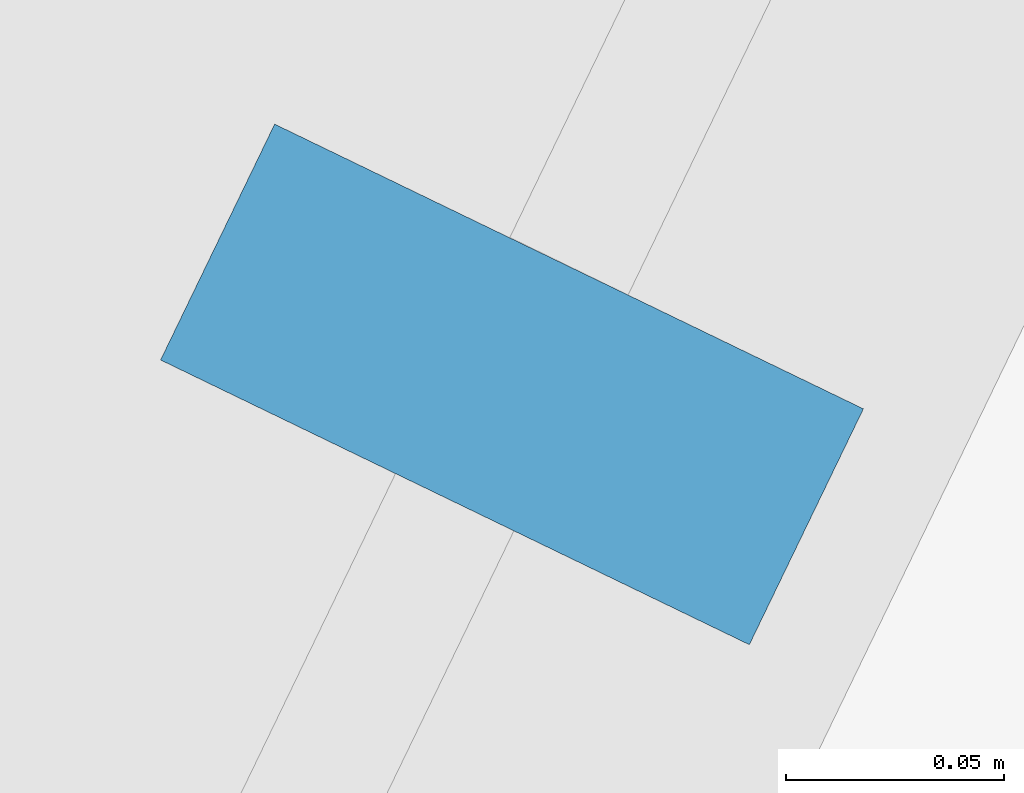
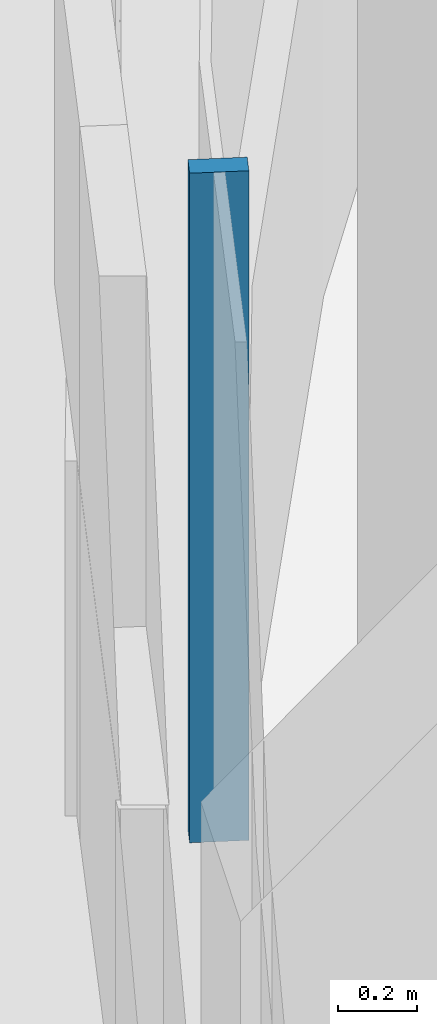
# One storey, part 7 of 22: 1 member, 1 element without a shape of its own.
"""IFC4 building model written with IfcOpenShell, lengths in metres."""

from ifc_helpers import new_model, si_unit, direction, frame, origin, origin_2d, place, context, subcontext, project, spatial, rectangle, extrude, material, layer, layer_set, material_profile, profile_set, type_object, element, aggregate, save


model = new_model("IFC4")

# Units and contexts
model_context = context("Model", 3, precision=1e-05, world=origin(), true_north=direction((0.0, 1.0)))
body_context = subcontext(model_context, "Body", "Model", "MODEL_VIEW")
ifc_project = project(units=[si_unit("LENGTHUNIT", "METRE"), si_unit("AREAUNIT", "SQUARE_METRE"), si_unit("VOLUMEUNIT", "CUBIC_METRE"), si_unit("PLANEANGLEUNIT", "RADIAN"), si_unit("MASSUNIT", "GRAM", prefix="KILO")], contexts=[model_context])

# Site, building, storey
site_placement = place(None, origin())
site = spatial("IfcSite", under=ifc_project, at=site_placement, CompositionType="ELEMENT")
building_placement = place(site_placement, origin())
building = spatial("IfcBuilding", under=site, at=building_placement, Name="Tamarind Cross Interchange Tower", CompositionType="ELEMENT")
storey_placement = place(building_placement, frame((0.0, 0.0, 256.800048828125)))
storey = spatial("IfcBuildingStorey", under=building, at=storey_placement, Name="L65", CompositionType="ELEMENT", Elevation=256.800048828125)

# Curtain wall, member
ifc_material = material(Name="Aluminium 6063-T6", Category="aluminium")
ifc_layer = layer(ifc_material, 0.14990234375)
ifc_layer_set = layer_set([ifc_layer], Name="Aluminium 6063-T6")
curtain_wall_type = type_object("IfcCurtainWallType", Name="Winter garden and crown curtain wall", PredefinedType="NOTDEFINED", material=ifc_layer_set)
curtain_wall_placement = place(storey_placement, origin())
curtain_wall = element("IfcCurtainWall", 1, at=curtain_wall_placement, inside=storey, type_object=curtain_wall_type, Name="CWS-L65-01", PredefinedType="NOTDEFINED")
ifc_material_profile = material_profile(ifc_material, rectangle(XDim=0.06005859375, YDim=0.14990234375, at=origin_2d()), Name="Mullion CW6")
ifc_profile_set = profile_set([ifc_material_profile], Name="Aluminium 6063-T6")
member_type = type_object("IfcMemberType", Name="Mullion CW6", PredefinedType="MULLION", material=ifc_profile_set)
member_placement = place(storey_placement, frame((-21.17431640625, 10.82568359375, 1.39990234375), z_axis=(0.0, 0.0, 1.0), x_axis=(-0.435326231914, -0.900272776334, 0.0)))
member = element("IfcMember", 2, at=member_placement, type_object=member_type, Name="CWM-L65-01-03", PredefinedType="MULLION", context=body_context, shape_type="SweptSolid", body=[
    extrude(rectangle(XDim=0.06005859375, YDim=0.14990234375, at=origin_2d()), origin(), (0.0, 0.0, 1.0), 2.06005859375),
])
aggregate(curtain_wall, [member])

save(model, "model.ifc")
